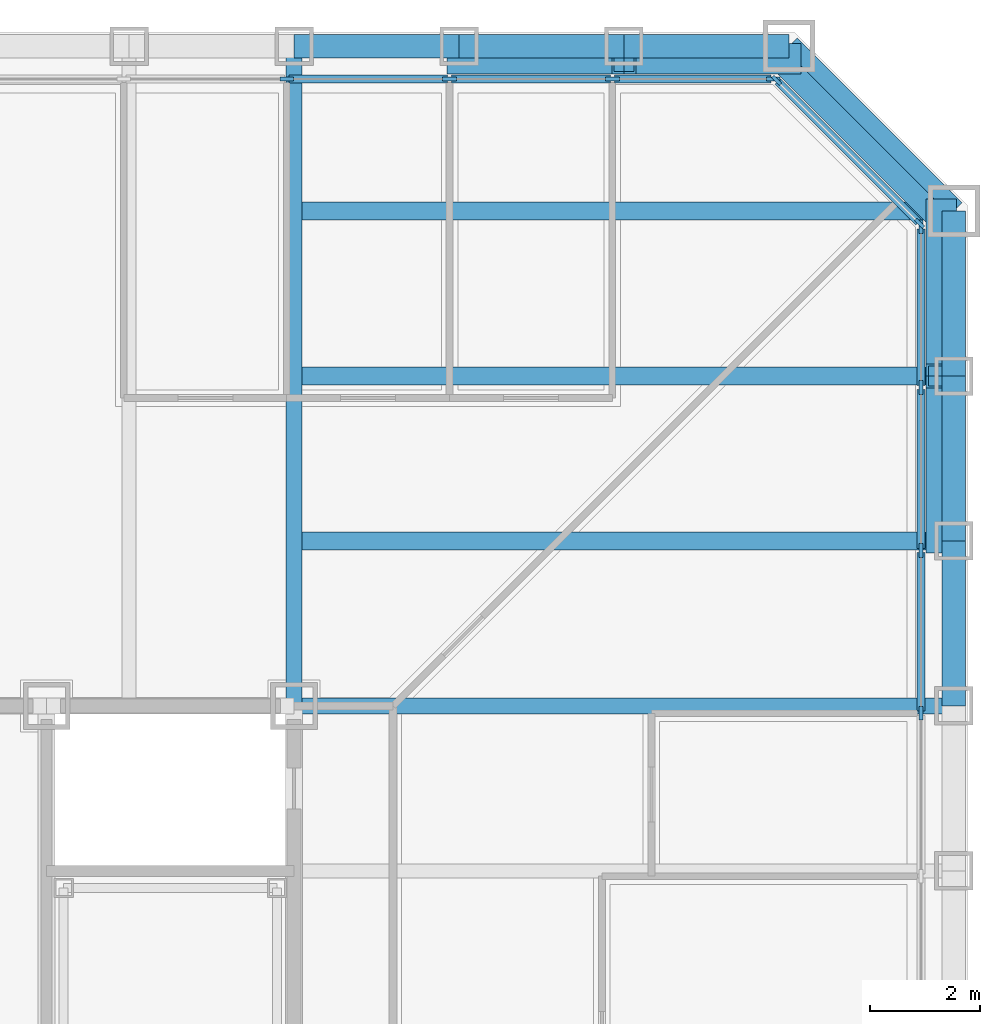
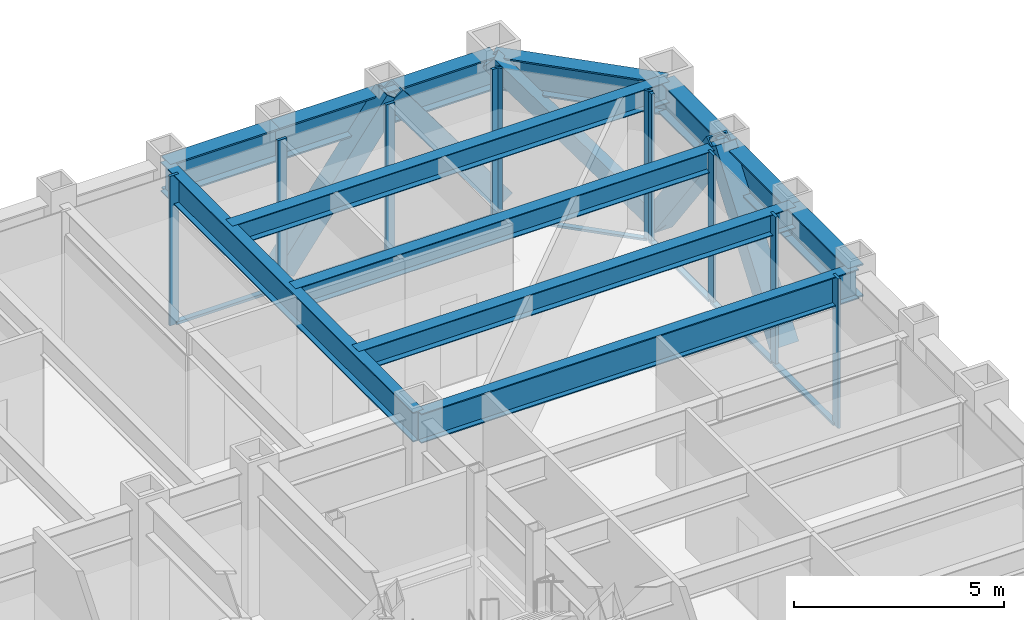
# One storey, part 6 of 17: 22 members, 12 beams, 3 elements without a shape of their own.
"""IFC4 building model written with IfcOpenShell, lengths in metres."""

import ifcopenshell
import ifcopenshell.guid

model = None  # the IFC model being written
_history = None  # IfcOwnerHistory: only IFC2X3 demands one
_inside = {}  # id of a spatial element -> (the spatial element, [elements in it])
_under = {}  # id of a project, library or spatial element -> (it, [spatial elements below it])
_declared = {}  # id of a project -> (the project, [libraries it declares])
_typed = {}  # id of a type object -> (the type object, [elements of that type])
_made_of = {}  # id of a material, layer set ... -> (it, [elements and type objects made of it])


def new_model(schema):
    """Start an empty IFC model of exactly this schema.

    Asked for "IFC4X3", IfcOpenShell would pick the latest addendum, in which some entities
    have other attributes; the version numbers below select the first issue.
    IFC2X3 requires an IfcOwnerHistory on every rooted entity: one is made here for all.
    """
    global model, _history
    if schema == "IFC4X3":
        model = ifcopenshell.file(schema_version=(4, 3, 0, 0))
    else:
        model = ifcopenshell.file(schema=schema)
    _inside.clear()
    _under.clear()
    _declared.clear()
    _typed.clear()
    _made_of.clear()
    _history = None
    if model.schema == "IFC2X3":
        org = make("IfcOrganization", Name="unknown")
        user = make(
            "IfcPersonAndOrganization",
            ThePerson=make("IfcPerson", FamilyName="unknown"),
            TheOrganization=org,
        )
        app = make(
            "IfcApplication",
            ApplicationDeveloper=org,
            Version="unknown",
            ApplicationFullName="unknown",
            ApplicationIdentifier="unknown",
        )
        _history = make(
            "IfcOwnerHistory",
            OwningUser=user,
            OwningApplication=app,
            ChangeAction="ADDED",
            CreationDate=0,
        )
    return model


def make(cls, **values):
    """One entity of the class cls with the attributes given. An attribute that is None is left unset."""
    return model.create_entity(
        cls, **{name: value for name, value in values.items() if value is not None}
    )


def rooted(cls, **values):
    """An entity with a GlobalId (a new one), such as an element, a storey or a relation."""
    return make(cls, GlobalId=ifcopenshell.guid.new(), OwnerHistory=_history, **values)


def si_unit(unit_type, name, prefix=None):
    """IfcSIUnit, for example si_unit("LENGTHUNIT", "METRE", prefix="MILLI")."""
    return make("IfcSIUnit", UnitType=unit_type, Prefix=prefix, Name=name)


def assignment(units):
    """IfcUnitAssignment: the units of a project."""
    return None if units is None else make("IfcUnitAssignment", Units=units)


def point(xyz):
    """IfcCartesianPoint."""
    return None if xyz is None else make("IfcCartesianPoint", Coordinates=xyz)


def direction(xyz):
    """IfcDirection."""
    return None if xyz is None else make("IfcDirection", DirectionRatios=xyz)


def frame(location, z_axis=None, x_axis=None):
    """IfcAxis2Placement3D, a coordinate frame: its origin and axes. An axis left out is left unset."""
    return make(
        "IfcAxis2Placement3D",
        Location=point(location),
        Axis=direction(z_axis),
        RefDirection=direction(x_axis),
    )


def frame_2d(location, x_axis=None):
    """IfcAxis2Placement2D, a coordinate frame in the plane: its origin and x axis."""
    return make(
        "IfcAxis2Placement2D", Location=point(location), RefDirection=direction(x_axis)
    )


def origin():
    """The frame at (0, 0, 0) with its axes left unset."""
    return frame((0.0, 0.0, 0.0))


def origin_2d():
    """The frame at (0, 0) in the plane with its x axis left unset."""
    return frame_2d((0.0, 0.0))


def place(relative_to, where):
    """IfcLocalPlacement: puts the frame where relative to a parent placement (None: the world)."""
    return make(
        "IfcLocalPlacement", PlacementRelTo=relative_to, RelativePlacement=where
    )


def context(
    kind, dimensions, precision=None, world=None, true_north=None, identifier=None
):
    """IfcGeometricRepresentationContext, for example the 3D "Model" context."""
    return make(
        "IfcGeometricRepresentationContext",
        ContextIdentifier=identifier,
        ContextType=kind,
        CoordinateSpaceDimension=dimensions,
        Precision=precision,
        WorldCoordinateSystem=world,
        TrueNorth=true_north,
    )


def subcontext(parent, identifier, kind, view, scale=None):
    """IfcGeometricRepresentationSubContext, for example "Body" below "Model"."""
    return make(
        "IfcGeometricRepresentationSubContext",
        ContextIdentifier=identifier,
        ContextType=kind,
        ParentContext=parent,
        TargetScale=scale,
        TargetView=view,
    )


def project(units=None, contexts=None):
    """IfcProject with its units and contexts."""
    return rooted(
        "IfcProject",
        Name="project",
        RepresentationContexts=contexts,
        UnitsInContext=assignment(units),
    )


def spatial(cls, under=None, at=None, **own):
    """A site, building, storey or space (cls), placed at a placement, below another one or the project."""
    s = rooted(cls, ObjectPlacement=at, **own)
    if under is not None:
        _under.setdefault(under.id(), (under, []))[1].append(s)
    return s


def profile(cls, at=None, kind="AREA", **sizes):
    """A parametric profile (cls). Its sizes go by their IFC names, for example OverallWidth=200.0."""
    return make(cls, ProfileType=kind, Position=at, **sizes)


def rectangle(**sizes):
    """IfcRectangleProfileDef."""
    return profile("IfcRectangleProfileDef", **sizes)


def hollow_rectangle(**sizes):
    """IfcRectangleHollowProfileDef."""
    return profile("IfcRectangleHollowProfileDef", **sizes)


def i_section(**sizes):
    """IfcIShapeProfileDef."""
    return profile("IfcIShapeProfileDef", **sizes)


def extrude(swept, where, along, depth):
    """IfcExtrudedAreaSolid: the profile swept, set in the frame where, extruded along a direction by depth."""
    return make(
        "IfcExtrudedAreaSolid",
        SweptArea=swept,
        Position=where,
        ExtrudedDirection=direction(along),
        Depth=depth,
    )


def shape(context_of_items, identifier, shape_type, items):
    """IfcShapeRepresentation: the items that make up one representation, for example the "Body"."""
    return make(
        "IfcShapeRepresentation",
        ContextOfItems=context_of_items,
        RepresentationIdentifier=identifier,
        RepresentationType=shape_type,
        Items=items,
    )


def material(Name=None, Category=None):
    """IfcMaterial."""
    return make("IfcMaterial", Name=Name, Category=Category)


def layer(
    of_material, thickness, ventilated=None, Name=None, Category=None, Priority=None
):
    """IfcMaterialLayer: one layer of a wall or slab, of a material (None: an air gap)."""
    return make(
        "IfcMaterialLayer",
        Material=of_material,
        LayerThickness=thickness,
        IsVentilated=ventilated,
        Name=Name,
        Category=Category,
        Priority=Priority,
    )


def layer_set(layers, Name=None):
    """IfcMaterialLayerSet."""
    return make("IfcMaterialLayerSet", MaterialLayers=layers, LayerSetName=Name)


def material_profile(
    of_material, cross_section, Name=None, Category=None, Priority=None
):
    """IfcMaterialProfile: a cross section and its material."""
    return make(
        "IfcMaterialProfile",
        Name=Name,
        Material=of_material,
        Profile=cross_section,
        Priority=Priority,
        Category=Category,
    )


def profile_set(profiles, Name=None, composite=None):
    """IfcMaterialProfileSet."""
    return make(
        "IfcMaterialProfileSet",
        Name=Name,
        MaterialProfiles=profiles,
        CompositeProfile=composite,
    )


def made_of(thing, what):
    """Note that an element or type object is made of a material, layer set ...; save() writes the relation."""
    if what is not None:
        _made_of.setdefault(what.id(), (what, []))[1].append(thing)
    return thing


def type_object(cls, material=None, **own):
    """A type object (cls), such as IfcWallType, which elements share."""
    return made_of(rooted(cls, **own), material)


def element(
    cls,
    number,
    at=None,
    inside=None,
    cuts=None,
    type_object=None,
    material=None,
    context=None,
    identifier="Body",
    shape_type=None,
    held_by="IfcProductDefinitionShape",
    body=None,
    shapes=None,
    **own,
):
    """One element of the class cls, such as IfcWall. Its Tag is "e" and its number.

    at: its placement. inside: the storey or other place that contains it. cuts: it is an
    opening in that element (IfcRelVoidsElement). A single representation is given by context,
    identifier, shape_type and body (its items); several are given by shapes. held_by: the class
    of the entity that holds the representations. save() writes the other relations.
    """
    e = rooted(cls, Tag="e%d" % number, ObjectPlacement=at, **own)
    if body is not None:
        shapes = [shape(context, identifier, shape_type, body)]
    if shapes is not None:
        e.Representation = make(held_by, Representations=shapes)
    if inside is not None:
        _inside.setdefault(inside.id(), (inside, []))[1].append(e)
    if cuts is not None:
        rooted(
            "IfcRelVoidsElement", RelatingBuildingElement=cuts, RelatedOpeningElement=e
        )
    if type_object is not None:
        _typed.setdefault(type_object.id(), (type_object, []))[1].append(e)
    return made_of(e, material)


def aggregate(whole, parts):
    """IfcRelAggregates: a whole, such as a stair, and the parts it consists of."""
    return rooted("IfcRelAggregates", RelatingObject=whole, RelatedObjects=parts)


def save(model, path):
    """Write the relations noted so far, then the file.

    IfcRelAggregates (storeys below a building ...), IfcRelContainedInSpatialStructure (elements
    in a storey), IfcRelDefinesByType, IfcRelAssociatesMaterial and IfcRelDeclares: one each for
    every whole, place, type object, material and project.
    """
    for whole, parts in _under.values():
        aggregate(whole, parts)
    for where, things in _inside.values():
        rooted(
            "IfcRelContainedInSpatialStructure",
            RelatedElements=things,
            RelatingStructure=where,
        )
    for kind, things in _typed.values():
        rooted("IfcRelDefinesByType", RelatedObjects=things, RelatingType=kind)
    for what, things in _made_of.values():
        rooted("IfcRelAssociatesMaterial", RelatedObjects=things, RelatingMaterial=what)
    for by, libraries in _declared.values():
        rooted("IfcRelDeclares", RelatingContext=by, RelatedDefinitions=libraries)
    model.write(path)


model = new_model("IFC4")

# Units and contexts
model_context = context("Model", 3, precision=1e-05, world=origin(), true_north=direction((0.0, 1.0)))
body_context = subcontext(model_context, "Body", "Model", "MODEL_VIEW")
ifc_project = project(units=[si_unit("LENGTHUNIT", "METRE"), si_unit("AREAUNIT", "SQUARE_METRE"), si_unit("VOLUMEUNIT", "CUBIC_METRE"), si_unit("PLANEANGLEUNIT", "RADIAN"), si_unit("MASSUNIT", "GRAM", prefix="KILO")], contexts=[model_context])

# Site, building, storey
site_placement = place(None, origin())
site = spatial("IfcSite", under=ifc_project, at=site_placement, CompositionType="ELEMENT")
building_placement = place(site_placement, origin())
building = spatial("IfcBuilding", under=site, at=building_placement, Name="Chuquiago Exchange Tower", CompositionType="ELEMENT")
storey_placement = place(building_placement, frame((0.0, 0.0, 37.800048828125)))
storey = spatial("IfcBuildingStorey", under=building, at=storey_placement, Name="L07", CompositionType="ELEMENT", Elevation=37.800048828125)

# Beams
ifc_material_1 = material(Name="Steel ASTM A992", Category="steel")
ifc_material_profile_1 = material_profile(ifc_material_1, i_section(OverallWidth=0.3251953125, OverallDepth=0.6171875, WebThickness=0.013916015625, FlangeThickness=0.021484375, at=origin_2d()), Name="W24X117")
ifc_profile_set_1 = profile_set([ifc_material_profile_1], Name="Steel ASTM A992")
beam_type_1 = type_object("IfcBeamType", Name="B5 W24X117", PredefinedType="BEAM", material=ifc_profile_set_1)
for number, where, z_axis, x_axis, name in (
    (1, (33.0, 36.0, 3.7314453125), (1.0, 0.0, 0.0), (0.0, 1.0, 0.0), "FB-L08-corner-33_36-45_36-0"),
    (2, (33.0, 39.0, 3.7314453125), (1.0, 0.0, 0.0), (0.0, 1.0, 0.0), "FB-L08-corner-33_39-45_39-0"),
    (3, (33.0, 42.0, 3.7314453125), (1.0, 0.0, 0.0), (0.0, 1.0, 0.0), "FB-L08-corner-33_42-45_42-0"),
):
    element("IfcBeam", number, at=place(storey_placement, frame(where, z_axis=z_axis, x_axis=x_axis)), inside=storey, type_object=beam_type_1, Name=name, PredefinedType="BEAM", context=body_context, shape_type="SweptSolid", body=[
        extrude(i_section(OverallWidth=0.3251953125, OverallDepth=0.6171875, WebThickness=0.013916015625, FlangeThickness=0.021484375, at=origin_2d()), origin(), (0.0, 0.0, 1.0), 12.0),
    ])

# Curtain wall, members
ifc_material_2 = material(Name="Aluminium curtain wall system", Category="aluminium")
ifc_layer_1 = layer(ifc_material_2, 0.25)
ifc_layer_set_1 = layer_set([ifc_layer_1], Name="CW1 trading floor curtain wall")
curtain_wall_type_1 = type_object("IfcCurtainWallType", Name="CW1 trading floor curtain wall", PredefinedType="NOTDEFINED", material=ifc_layer_set_1)
curtain_wall_1_placement = place(storey_placement, origin())
curtain_wall_1 = element("IfcCurtainWall", 4, at=curtain_wall_1_placement, inside=storey, type_object=curtain_wall_type_1, Name="CW1 curtain wall L07", PredefinedType="NOTDEFINED")
ifc_material_3 = material(Name="Aluminium mullion, pale anodised", Category="aluminium")
ifc_material_profile_2 = material_profile(ifc_material_3, rectangle(XDim=0.074951171875, YDim=0.25, at=origin_2d()), Name="AL 75x250")
ifc_profile_set_2 = profile_set([ifc_material_profile_2], Name="Aluminium mullion, pale anodised")
member_type_1 = type_object("IfcMemberType", Name="CW1-M mullion 75x250", PredefinedType="MULLION", material=ifc_profile_set_2)
member_1_placement = place(storey_placement, frame((44.39990234375, 32.8662109375, -0.300048828125), z_axis=(0.0, 0.0, 1.0), x_axis=(-1.0, 0.0, 0.0)))
member_1 = element("IfcMember", 5, at=member_1_placement, type_object=member_type_1, Name="CW1 mullion 11", PredefinedType="MULLION", context=body_context, shape_type="SweptSolid", body=[
    extrude(rectangle(XDim=0.074951171875, YDim=0.25, at=origin_2d()), origin(), (0.0, 0.0, 1.0), 4.340087890625),
])
member_2_placement = place(storey_placement, frame((44.39990234375, 35.827880859375, -0.300048828125), z_axis=(0.0, 0.0, 1.0), x_axis=(-1.0, 0.0, 0.0)))
member_2 = element("IfcMember", 6, at=member_2_placement, type_object=member_type_1, Name="CW1 mullion 12", PredefinedType="MULLION", context=body_context, shape_type="SweptSolid", body=[
    extrude(rectangle(XDim=0.074951171875, YDim=0.25, at=origin_2d()), origin(), (0.0, 0.0, 1.0), 4.340087890625),
])
member_3_placement = place(storey_placement, frame((44.39990234375, 38.789794921875, -0.300048828125), z_axis=(0.0, 0.0, 1.0), x_axis=(-1.0, 0.0, 0.0)))
member_3 = element("IfcMember", 7, at=member_3_placement, type_object=member_type_1, Name="CW1 mullion 13", PredefinedType="MULLION", context=body_context, shape_type="SweptSolid", body=[
    extrude(rectangle(XDim=0.074951171875, YDim=0.25, at=origin_2d()), origin(), (0.0, 0.0, 1.0), 4.340087890625),
])
member_4_placement = place(storey_placement, frame((44.39990234375, 41.714111328125, -0.300048828125), z_axis=(0.0, 0.0, 1.0), x_axis=(-1.0, 0.0, 0.0)))
member_4 = element("IfcMember", 8, at=member_4_placement, type_object=member_type_1, Name="CW1 mullion 14", PredefinedType="MULLION", context=body_context, shape_type="SweptSolid", body=[
    extrude(rectangle(XDim=0.074951171875, YDim=0.25, at=origin_2d()), origin(), (0.0, 0.0, 1.0), 4.340087890625),
])

curtain_wall_2_placement = place(storey_placement, origin())
curtain_wall_2 = element("IfcCurtainWall", 9, at=curtain_wall_2_placement, inside=storey, type_object=curtain_wall_type_1, Name="CW1 curtain wall L07", PredefinedType="NOTDEFINED")
member_5_placement = place(storey_placement, frame((41.714111328125, 44.39990234375, -0.300048828125), z_axis=(0.0, 0.0, 1.0), x_axis=(0.0, -1.0, 0.0)))
member_5 = element("IfcMember", 10, at=member_5_placement, type_object=member_type_1, Name="CW1 mullion 1", PredefinedType="MULLION", context=body_context, shape_type="SweptSolid", body=[
    extrude(rectangle(XDim=0.074951171875, YDim=0.25, at=origin_2d()), origin(), (0.0, 0.0, 1.0), 4.340087890625),
])
member_6_placement = place(storey_placement, frame((38.789794921875, 44.39990234375, -0.300048828125), z_axis=(0.0, 0.0, 1.0), x_axis=(0.0, -1.0, 0.0)))
member_6 = element("IfcMember", 11, at=member_6_placement, type_object=member_type_1, Name="CW1 mullion 2", PredefinedType="MULLION", context=body_context, shape_type="SweptSolid", body=[
    extrude(rectangle(XDim=0.074951171875, YDim=0.25, at=origin_2d()), origin(), (0.0, 0.0, 1.0), 4.340087890625),
])
member_7_placement = place(storey_placement, frame((35.827880859375, 44.39990234375, -0.300048828125), z_axis=(0.0, 0.0, 1.0), x_axis=(0.0, -1.0, 0.0)))
member_7 = element("IfcMember", 12, at=member_7_placement, type_object=member_type_1, Name="CW1 mullion 3", PredefinedType="MULLION", context=body_context, shape_type="SweptSolid", body=[
    extrude(rectangle(XDim=0.074951171875, YDim=0.25, at=origin_2d()), origin(), (0.0, 0.0, 1.0), 4.340087890625),
])
member_8_placement = place(storey_placement, frame((32.8662109375, 44.39990234375, -0.300048828125), z_axis=(0.0, 0.0, 1.0), x_axis=(0.0, -1.0, 0.0)))
member_8 = element("IfcMember", 13, at=member_8_placement, type_object=member_type_1, Name="CW1 mullion 4", PredefinedType="MULLION", context=body_context, shape_type="SweptSolid", body=[
    extrude(rectangle(XDim=0.074951171875, YDim=0.25, at=origin_2d()), origin(), (0.0, 0.0, 1.0), 4.340087890625),
])

# Member
ifc_material_4 = material(Name="Aluminium transom, pale anodised", Category="aluminium")
ifc_material_profile_3 = material_profile(ifc_material_4, rectangle(XDim=0.14990234375, YDim=0.074951171875, at=origin_2d()), Name="AL 150x75")
ifc_profile_set_3 = profile_set([ifc_material_profile_3], Name="Aluminium transom, pale anodised")
member_type_2 = type_object("IfcMemberType", Name="CW1-T transom 75x150", PredefinedType="MULLION", material=ifc_profile_set_3)
member_9_placement = place(storey_placement, frame((44.39990234375, 32.90380859375, -0.262451171875), z_axis=(0.0, 1.0, 0.0), x_axis=(-1.0, 0.0, 0.0)))
member_9 = element("IfcMember", 14, at=member_9_placement, type_object=member_type_2, Name="CW1 transom 11.1", PredefinedType="MULLION", context=body_context, shape_type="SweptSolid", body=[
    extrude(rectangle(XDim=0.14990234375, YDim=0.074951171875, at=origin_2d()), origin(), (0.0, 0.0, 1.0), 2.88671875),
])

member_10_placement = place(storey_placement, frame((44.39990234375, 35.865478515625, -0.262451171875), z_axis=(0.0, 1.0, 0.0), x_axis=(-1.0, 0.0, 0.0)))
member_10 = element("IfcMember", 15, at=member_10_placement, type_object=member_type_2, Name="CW1 transom 12.1", PredefinedType="MULLION", context=body_context, shape_type="SweptSolid", body=[
    extrude(rectangle(XDim=0.14990234375, YDim=0.074951171875, at=origin_2d()), origin(), (0.0, 0.0, 1.0), 2.88671875),
])

member_11_placement = place(storey_placement, frame((44.39990234375, 38.8271484375, -0.262451171875), z_axis=(0.0, 1.0, 0.0), x_axis=(-1.0, 0.0, 0.0)))
member_11 = element("IfcMember", 16, at=member_11_placement, type_object=member_type_2, Name="CW1 transom 13.1", PredefinedType="MULLION", context=body_context, shape_type="SweptSolid", body=[
    extrude(rectangle(XDim=0.14990234375, YDim=0.074951171875, at=origin_2d()), origin(), (0.0, 0.0, 1.0), 2.849365234375),
])

aggregate(curtain_wall_1, [member_1, member_2, member_3, member_4, member_9, member_10, member_11])

member_12_placement = place(storey_placement, frame((41.676513671875, 44.39990234375, -0.262451171875), z_axis=(-1.0, 0.0, 0.0), x_axis=(0.0, -1.0, 0.0)))
member_12 = element("IfcMember", 17, at=member_12_placement, type_object=member_type_2, Name="CW1 transom 1.1", PredefinedType="MULLION", context=body_context, shape_type="SweptSolid", body=[
    extrude(rectangle(XDim=0.14990234375, YDim=0.074951171875, at=origin_2d()), origin(), (0.0, 0.0, 1.0), 2.849365234375),
])

member_13_placement = place(storey_placement, frame((38.752197265625, 44.39990234375, -0.262451171875), z_axis=(-1.0, 0.0, 0.0), x_axis=(0.0, -1.0, 0.0)))
member_13 = element("IfcMember", 18, at=member_13_placement, type_object=member_type_2, Name="CW1 transom 2.1", PredefinedType="MULLION", context=body_context, shape_type="SweptSolid", body=[
    extrude(rectangle(XDim=0.14990234375, YDim=0.074951171875, at=origin_2d()), origin(), (0.0, 0.0, 1.0), 2.88671875),
])

member_14_placement = place(storey_placement, frame((35.79052734375, 44.39990234375, -0.262451171875), z_axis=(-1.0, 0.0, 0.0), x_axis=(0.0, -1.0, 0.0)))
member_14 = element("IfcMember", 19, at=member_14_placement, type_object=member_type_2, Name="CW1 transom 3.1", PredefinedType="MULLION", context=body_context, shape_type="SweptSolid", body=[
    extrude(rectangle(XDim=0.14990234375, YDim=0.074951171875, at=origin_2d()), origin(), (0.0, 0.0, 1.0), 2.88671875),
])

aggregate(curtain_wall_2, [member_5, member_6, member_7, member_8, member_12, member_13, member_14])

# Curtain wall, members
ifc_material_5 = material(Name="Aluminium curtain wall system", Category="aluminium")
ifc_layer_2 = layer(ifc_material_5, 0.199951171875)
ifc_layer_set_2 = layer_set([ifc_layer_2], Name="CW3 facet curtain wall")
curtain_wall_type_2 = type_object("IfcCurtainWallType", Name="CW3 facet curtain wall", PredefinedType="NOTDEFINED", material=ifc_layer_set_2)
curtain_wall_3_placement = place(storey_placement, origin())
curtain_wall_3 = element("IfcCurtainWall", 20, at=curtain_wall_3_placement, inside=storey, type_object=curtain_wall_type_2, Name="CW3 curtain wall L07", PredefinedType="NOTDEFINED")
ifc_material_6 = material(Name="Aluminium mullion, pale anodised", Category="aluminium")
ifc_material_profile_4 = material_profile(ifc_material_6, rectangle(XDim=0.06494140625, YDim=0.199951171875, at=origin_2d()), Name="AL 65x200")
ifc_profile_set_4 = profile_set([ifc_material_profile_4], Name="Aluminium mullion, pale anodised")
member_type_3 = type_object("IfcMemberType", Name="CW3-M mullion 65x200", PredefinedType="MULLION", material=ifc_profile_set_4)
member_15_placement = place(storey_placement, frame((44.376953125, 41.7744140625, -0.300048828125), z_axis=(0.0, 0.0, 1.0), x_axis=(-0.707106781187, -0.707106781187, 0.0)))
member_15 = element("IfcMember", 21, at=member_15_placement, type_object=member_type_3, Name="CW3 mullion 1", PredefinedType="MULLION", context=body_context, shape_type="SweptSolid", body=[
    extrude(rectangle(XDim=0.06494140625, YDim=0.199951171875, at=origin_2d()), origin(), (0.0, 0.0, 1.0), 4.340087890625),
])
member_16_placement = place(storey_placement, frame((41.7744140625, 44.376953125, -0.300048828125), z_axis=(0.0, 0.0, 1.0), x_axis=(-0.707106781187, -0.707106781187, 0.0)))
member_16 = element("IfcMember", 22, at=member_16_placement, type_object=member_type_3, Name="CW3 mullion 2", PredefinedType="MULLION", context=body_context, shape_type="SweptSolid", body=[
    extrude(rectangle(XDim=0.06494140625, YDim=0.199951171875, at=origin_2d()), origin(), (0.0, 0.0, 1.0), 4.340087890625),
])
ifc_material_7 = material(Name="Aluminium transom, pale anodised", Category="aluminium")
ifc_material_profile_5 = material_profile(ifc_material_7, rectangle(XDim=0.139892578125, YDim=0.06494140625, at=origin_2d()), Name="AL 140x65")
ifc_profile_set_5 = profile_set([ifc_material_profile_5], Name="Aluminium transom, pale anodised")
member_type_4 = type_object("IfcMemberType", Name="CW3-T transom 65x140", PredefinedType="MULLION", material=ifc_profile_set_5)
member_17_placement = place(storey_placement, frame((44.35400390625, 41.79736328125, -0.267578125), z_axis=(-0.707106781187, 0.707106781187, 0.0), x_axis=(-0.707106781187, -0.707106781187, 0.0)))
member_17 = element("IfcMember", 23, at=member_17_placement, type_object=member_type_4, Name="CW3 transom 1.1", PredefinedType="MULLION", context=body_context, shape_type="SweptSolid", body=[
    extrude(rectangle(XDim=0.139892578125, YDim=0.06494140625, at=origin_2d()), origin(), (0.0, 0.0, 1.0), 3.61572265625),
])
aggregate(curtain_wall_3, [member_15, member_16, member_17])

# Beams
ifc_material_8 = material(Name="Steel ASTM A992", Category="steel")
ifc_material_profile_6 = material_profile(ifc_material_8, i_section(OverallWidth=0.2919921875, OverallDepth=0.8583984375, WebThickness=0.01708984375, FlangeThickness=0.031005859375, at=origin_2d()), Name="W33X169")
ifc_profile_set_6 = profile_set([ifc_material_profile_6], Name="Steel ASTM A992")
beam_type_2 = type_object("IfcBeamType", Name="G2 W33X169", PredefinedType="BEAM", material=ifc_profile_set_6)
for number, where, z_axis, x_axis, name in (
    (24, (33.0, 33.0, 3.610595703125), (0.0, 1.0, 0.0), (-1.0, 0.0, 0.0), "FB-L08-girder-33_33-33_45-0"),
    (25, (33.0, 33.0, 3.610595703125), (1.0, 0.0, 0.0), (0.0, 1.0, 0.0), "FB-L08-girder-33_33-45_33-0"),
):
    element("IfcBeam", number, at=place(storey_placement, frame(where, z_axis=z_axis, x_axis=x_axis)), inside=storey, type_object=beam_type_2, Name=name, PredefinedType="BEAM", context=body_context, shape_type="SweptSolid", body=[
        extrude(i_section(OverallWidth=0.2919921875, OverallDepth=0.8583984375, WebThickness=0.01708984375, FlangeThickness=0.031005859375, at=origin_2d()), origin(), (0.0, 0.0, 1.0), 12.0),
    ])

# Members
ifc_material_9 = material(Name="Steel ASTM A500 Grade C", Category="steel")
ifc_material_profile_7 = material_profile(ifc_material_9, hollow_rectangle(XDim=0.406494140625, YDim=0.406494140625, WallThickness=0.0146484375, at=origin_2d()), Name="HSS16X16X5/8")
ifc_profile_set_7 = profile_set([ifc_material_profile_7], Name="Steel ASTM A500 Grade C")
member_type_5 = type_object("IfcMemberType", Name="LB4 HSS16X16X5/8", PredefinedType="BRACE", material=ifc_profile_set_7)
member_18_placement = place(storey_placement, frame((44.78662109375, 41.78662109375, 0.0), z_axis=(-0.512077265487, 0.512077265487, 0.689604051861), x_axis=(-0.707106781187, -0.707106781187, 0.0)))
element("IfcMember", 26, at=member_18_placement, inside=storey, type_object=member_type_5, Name="LB-L07-45_42-42_45", PredefinedType="BRACE", context=body_context, shape_type="SweptSolid", body=[
    extrude(hollow_rectangle(XDim=0.406494140625, YDim=0.406494140625, WallThickness=0.0146484375, at=origin_2d()), origin(), (0.0, 0.0, 1.0), 5.8583984375),
])
ifc_material_10 = material(Name="Steel ASTM A572 Grade 50", Category="steel")
ifc_material_profile_8 = material_profile(ifc_material_10, hollow_rectangle(XDim=0.550048828125, YDim=0.550048828125, WallThickness=0.044921875, at=origin_2d()), Name="BOX550X550X45")
ifc_profile_set_8 = profile_set([ifc_material_profile_8], Name="Steel ASTM A572 Grade 50")
member_type_6 = type_object("IfcMemberType", Name="MB1 BOX550X550X45", PredefinedType="BRACE", material=ifc_profile_set_8)
for number, where, z_axis, x_axis, name in (
    (27, (44.77001953125, 36.0, 0.0), (0.0, 0.596173923302, 0.802855312728), (-1.0, 0.0, 0.0), "Mega diagonal L07 E face"),
    (28, (44.77001953125, 42.0, 0.0), (0.0, -0.596173923302, 0.802855312728), (1.0, 0.0, 0.0), "Mega diagonal L07 E face"),
    (29, (42.0, 44.77001953125, 0.0), (-0.596173923302, 0.0, 0.802855312728), (0.0, -1.0, 0.0), "Mega diagonal L07 N face"),
    (30, (36.0, 44.77001953125, 0.0), (0.596173923302, 0.0, 0.802855312728), (0.0, 1.0, 0.0), "Mega diagonal L07 N face"),
):
    element("IfcMember", number, at=place(storey_placement, frame(where, z_axis=z_axis, x_axis=x_axis)), inside=storey, type_object=member_type_6, Name=name, PredefinedType="BRACE", context=body_context, shape_type="SweptSolid", body=[
        extrude(hollow_rectangle(XDim=0.550048828125, YDim=0.550048828125, WallThickness=0.044921875, at=origin_2d()), origin(), (0.0, 0.0, 1.0), 5.031982421875),
    ])

# Beams
ifc_material_11 = material(Name="Steel ASTM A992", Category="steel")
ifc_material_profile_9 = material_profile(ifc_material_11, i_section(OverallWidth=0.424072265625, OverallDepth=0.947509765625, WebThickness=0.02392578125, FlangeThickness=0.042724609375, at=origin_2d()), Name="W36X302")
ifc_profile_set_9 = profile_set([ifc_material_profile_9], Name="Steel ASTM A992")
beam_type_3 = type_object("IfcBeamType", Name="SP1 W36X302", PredefinedType="SPANDREL", material=ifc_profile_set_9)
for number, where, z_axis, x_axis, name in (
    (31, (45.0, 33.0, 3.566162109375), (0.0, 1.0, 0.0), (-1.0, 0.0, 0.0), "SPB-L08-45_33-45_36"),
    (32, (45.0, 36.0, 3.566162109375), (0.0, 1.0, 0.0), (-1.0, 0.0, 0.0), "SPB-L08-45_36-45_39"),
    (33, (45.0, 39.0, 3.566162109375), (0.0, 1.0, 0.0), (-1.0, 0.0, 0.0), "SPB-L08-45_39-45_42"),
):
    element("IfcBeam", number, at=place(storey_placement, frame(where, z_axis=z_axis, x_axis=x_axis)), inside=storey, type_object=beam_type_3, Name=name, PredefinedType="SPANDREL", context=body_context, shape_type="SweptSolid", body=[
        extrude(i_section(OverallWidth=0.424072265625, OverallDepth=0.947509765625, WebThickness=0.02392578125, FlangeThickness=0.042724609375, at=origin_2d()), origin(), (0.0, 0.0, 1.0), 3.0),
    ])
beam_placement = place(storey_placement, frame((45.0, 42.0, 3.566162109375), z_axis=(-0.707106781187, 0.707106781187, 0.0), x_axis=(-0.707106781187, -0.707106781187, 0.0)))
element("IfcBeam", 34, at=beam_placement, inside=storey, type_object=beam_type_3, Name="SPB-L08-45_42-42_45", PredefinedType="SPANDREL", context=body_context, shape_type="SweptSolid", body=[
    extrude(i_section(OverallWidth=0.424072265625, OverallDepth=0.947509765625, WebThickness=0.02392578125, FlangeThickness=0.042724609375, at=origin_2d()), origin(), (0.0, 0.0, 1.0), 4.24267578125),
])
for number, where, z_axis, x_axis, name in (
    (35, (42.0, 45.0, 3.566162109375), (-1.0, 0.0, 0.0), (0.0, -1.0, 0.0), "SPB-L08-42_45-39_45"),
    (36, (39.0, 45.0, 3.566162109375), (-1.0, 0.0, 0.0), (0.0, -1.0, 0.0), "SPB-L08-39_45-36_45"),
    (37, (36.0, 45.0, 3.566162109375), (-1.0, 0.0, 0.0), (0.0, -1.0, 0.0), "SPB-L08-36_45-33_45"),
):
    element("IfcBeam", number, at=place(storey_placement, frame(where, z_axis=z_axis, x_axis=x_axis)), inside=storey, type_object=beam_type_3, Name=name, PredefinedType="SPANDREL", context=body_context, shape_type="SweptSolid", body=[
        extrude(i_section(OverallWidth=0.424072265625, OverallDepth=0.947509765625, WebThickness=0.02392578125, FlangeThickness=0.042724609375, at=origin_2d()), origin(), (0.0, 0.0, 1.0), 3.0),
    ])

save(model, "model.ifc")
